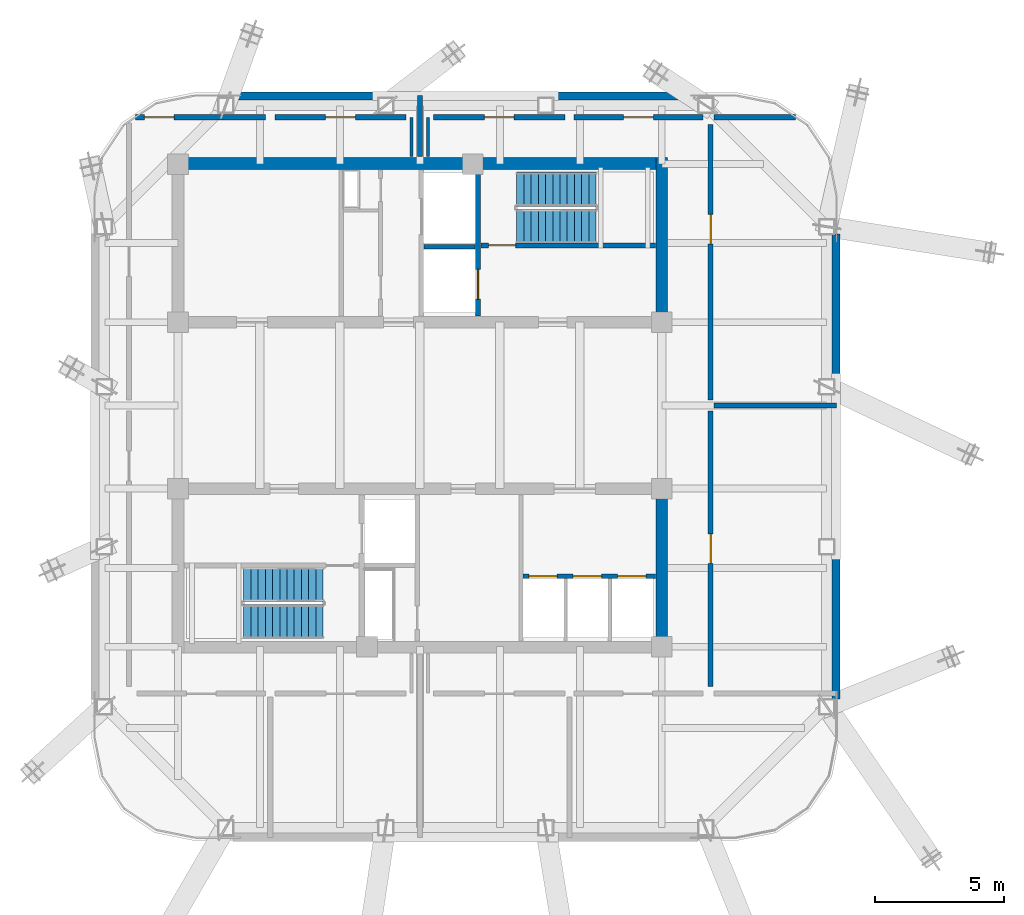
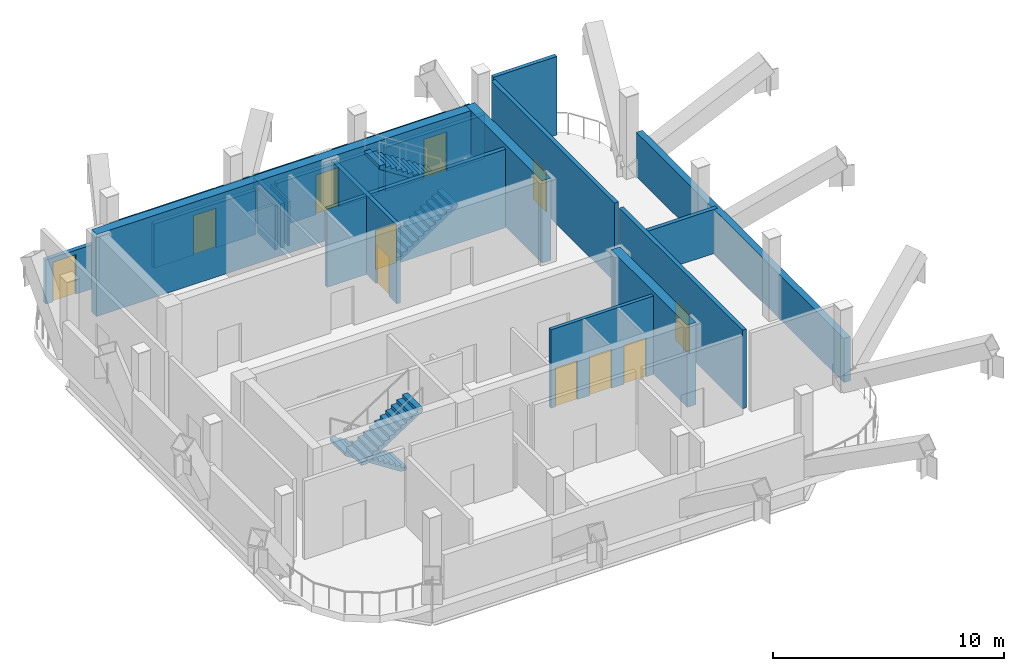
# One storey, part 4 of 7: 20 walls, 11 doors, 4 stair flights, 11 openings, 2 elements without a shape of their own.
"""IFC4 building model written with IfcOpenShell, lengths in metres."""

from ifc_helpers import new_model, si_unit, direction, frame, frame_2d, origin, place, context, subcontext, project, spatial, polyline, rectangle, outline, extrude, material, layer, layer_set, type_object, element, fill, aggregate, save


model = new_model("IFC4")

# Units and contexts
model_context = context("Model", 3, precision=1e-05, world=origin(), true_north=direction((0.0, 1.0)))
body_context = subcontext(model_context, "Body", "Model", "MODEL_VIEW")
ifc_project = project(units=[si_unit("LENGTHUNIT", "METRE"), si_unit("AREAUNIT", "SQUARE_METRE"), si_unit("VOLUMEUNIT", "CUBIC_METRE"), si_unit("PLANEANGLEUNIT", "RADIAN"), si_unit("MASSUNIT", "GRAM", prefix="KILO")], contexts=[model_context])

# Site, building, storey
site_placement = place(None, origin())
site = spatial("IfcSite", under=ifc_project, at=site_placement, CompositionType="ELEMENT")
building_placement = place(site_placement, origin())
building = spatial("IfcBuilding", under=site, at=building_placement, Name="Qhalaya Broadcast Tower", CompositionType="ELEMENT")
storey_placement = place(building_placement, frame((0.0, 0.0, 238.5)))
storey = spatial("IfcBuildingStorey", under=building, at=storey_placement, Name="L70", CompositionType="ELEMENT", Elevation=238.5)

# Wall
ifc_material_1 = material(Name="Gypsum Acoustic Partition")
ifc_layer_1 = layer(ifc_material_1, 0.199951171875, Name="Gypsum Acoustic Partition")
ifc_layer_set_1 = layer_set([ifc_layer_1], Name="Gypsum Acoustic Partition")
wall_type_1 = type_object("IfcWallType", Name="Firefighting Lobby & Stair Enclosure Wall 200", PredefinedType="PARTITIONING", material=ifc_layer_set_1)
wall_1_placement = place(storey_placement, frame((0.0, 10.239990234375, 0.0), z_axis=(0.0, 0.0, 1.0), x_axis=(0.0, 1.0, 0.0)))
element("IfcWall", 1, at=wall_1_placement, inside=storey, type_object=wall_type_1, Name="L70 Partition Wall W-OBN", PredefinedType="PARTITIONING", context=body_context, shape_type="SweptSolid", body=[
    extrude(rectangle(XDim=2.3701171875, YDim=0.199951171875, at=frame_2d((1.18505859375, 0.0))), origin(), (0.0, 0.0, 1.0), 2.340087890625),
])

# Wall, opening, door
wall_2_placement = place(storey_placement, frame((-5.97998046875, 11.77001953125, 0.0), z_axis=(0.0, 0.0, 1.0), x_axis=(-1.0, 0.0, 0.0)))
wall_2 = element("IfcWall", 2, at=wall_2_placement, inside=storey, type_object=wall_type_1, Name="L70 Partition Wall W-PCN0", PredefinedType="PARTITIONING", context=body_context, shape_type="SweptSolid", body=[
    extrude(rectangle(XDim=5.045654296875, YDim=0.199951171875, at=frame_2d((2.52294921875, 0.0))), origin(), (0.0, 0.0, 1.0), 2.340087890625),
])
opening_1_placement = place(wall_2_placement, frame((3.5458984375, 0.0, 0.0)))
opening_1 = element("IfcOpeningElement", 3, at=opening_1_placement, cuts=wall_2, Name="Opening D05", PredefinedType="OPENING", context=body_context, shape_type="SweptSolid", body=[
    extrude(rectangle(XDim=1.14990234375, YDim=2.10009765625, at=frame_2d((0.574951171875, 1.050048828125))), frame((0.0, 0.112060546875, 0.0), z_axis=(0.0, -1.0, 0.0), x_axis=(1.0, 0.0, 0.0)), (0.0, 0.0, 1.0), 0.223876953125),
])
ifc_material_2 = material(Name="Fire-Rated Steel Door", Category="steel")
door_type_1 = type_object("IfcDoorType", Name="Refuge & Plant Room Fire Door D05", OperationType="NOTDEFINED", PredefinedType="DOOR", material=ifc_material_2)
door_1_placement = place(opening_1_placement, origin())
door_1 = element("IfcDoor", 4, at=door_1_placement, inside=storey, type_object=door_type_1, Name="L70 Door D-PCN0", OperationType="SINGLE_SWING_LEFT", OverallHeight=2.10009765625, OverallWidth=1.14990234375, PredefinedType="DOOR", context=body_context, shape_type="SweptSolid", body=[
    extrude(rectangle(XDim=1.14990234375, YDim=2.10009765625, at=frame_2d((0.574951171875, 1.050048828125))), frame((0.0, 0.02490234375, 0.0), z_axis=(0.0, -1.0, 0.0), x_axis=(1.0, 0.0, 0.0)), (0.0, 0.0, 1.0), 0.050048828125),
])
fill(opening_1, door_1)

wall_3_placement = place(storey_placement, frame((-0.530029296875, 11.77001953125, 0.0), z_axis=(0.0, 0.0, 1.0), x_axis=(-1.0, 0.0, 0.0)))
wall_3 = element("IfcWall", 5, at=wall_3_placement, inside=storey, type_object=wall_type_1, Name="L70 Partition Wall W-PCN1", PredefinedType="PARTITIONING", context=body_context, shape_type="SweptSolid", body=[
    extrude(rectangle(XDim=5.090087890625, YDim=0.199951171875, at=frame_2d((2.544921875, 0.0))), origin(), (0.0, 0.0, 1.0), 2.340087890625),
])
opening_2_placement = place(wall_3_placement, frame((1.969970703125, 0.0, 0.0)))
opening_2 = element("IfcOpeningElement", 6, at=opening_2_placement, cuts=wall_3, Name="Opening D05", PredefinedType="OPENING", context=body_context, shape_type="SweptSolid", body=[
    extrude(rectangle(XDim=1.14990234375, YDim=2.10009765625, at=frame_2d((0.574951171875, 1.050048828125))), frame((0.0, 0.112060546875, 0.0), z_axis=(0.0, -1.0, 0.0), x_axis=(1.0, 0.0, 0.0)), (0.0, 0.0, 1.0), 0.223876953125),
])
door_2_placement = place(opening_2_placement, origin())
door_2 = element("IfcDoor", 7, at=door_2_placement, inside=storey, type_object=door_type_1, Name="L70 Door D-PCN1", OperationType="SINGLE_SWING_LEFT", OverallHeight=2.10009765625, OverallWidth=1.14990234375, PredefinedType="DOOR", context=body_context, shape_type="SweptSolid", body=[
    extrude(rectangle(XDim=1.14990234375, YDim=2.10009765625, at=frame_2d((0.574951171875, 1.050048828125))), frame((0.0, 0.02490234375, 0.0), z_axis=(0.0, -1.0, 0.0), x_axis=(1.0, 0.0, 0.0)), (0.0, 0.0, 1.0), 0.050048828125),
])
fill(opening_2, door_2)

wall_4_placement = place(storey_placement, frame((5.6201171875, 11.77001953125, 0.0), z_axis=(0.0, 0.0, 1.0), x_axis=(-1.0, 0.0, 0.0)))
wall_4 = element("IfcWall", 8, at=wall_4_placement, inside=storey, type_object=wall_type_1, Name="L70 Partition Wall W-PCN2", PredefinedType="PARTITIONING", context=body_context, shape_type="SweptSolid", body=[
    extrude(rectangle(XDim=5.090087890625, YDim=0.199951171875, at=frame_2d((2.544921875, 0.0))), origin(), (0.0, 0.0, 1.0), 2.340087890625),
])
opening_3_placement = place(wall_4_placement, frame((1.969970703125, 0.0, 0.0)))
opening_3 = element("IfcOpeningElement", 9, at=opening_3_placement, cuts=wall_4, Name="Opening D05", PredefinedType="OPENING", context=body_context, shape_type="SweptSolid", body=[
    extrude(rectangle(XDim=1.14990234375, YDim=2.10009765625, at=frame_2d((0.574951171875, 1.050048828125))), frame((0.0, 0.112060546875, 0.0), z_axis=(0.0, -1.0, 0.0), x_axis=(1.0, 0.0, 0.0)), (0.0, 0.0, 1.0), 0.223876953125),
])
door_3_placement = place(opening_3_placement, origin())
door_3 = element("IfcDoor", 10, at=door_3_placement, inside=storey, type_object=door_type_1, Name="L70 Door D-PCN2", OperationType="SINGLE_SWING_LEFT", OverallHeight=2.10009765625, OverallWidth=1.14990234375, PredefinedType="DOOR", context=body_context, shape_type="SweptSolid", body=[
    extrude(rectangle(XDim=1.14990234375, YDim=2.10009765625, at=frame_2d((0.574951171875, 1.050048828125))), frame((0.0, 0.02490234375, 0.0), z_axis=(0.0, -1.0, 0.0), x_axis=(1.0, 0.0, 0.0)), (0.0, 0.0, 1.0), 0.050048828125),
])
fill(opening_3, door_3)

wall_5_placement = place(storey_placement, frame((10.969970703125, 11.77001953125, 0.0), z_axis=(0.0, 0.0, 1.0), x_axis=(-1.0, 0.0, 0.0)))
wall_5 = element("IfcWall", 11, at=wall_5_placement, inside=storey, type_object=wall_type_1, Name="L70 Partition Wall W-PCN3", PredefinedType="PARTITIONING", context=body_context, shape_type="SweptSolid", body=[
    extrude(rectangle(XDim=4.989990234375, YDim=0.199951171875, at=frame_2d((2.4951171875, 0.0))), origin(), (0.0, 0.0, 1.0), 2.340087890625),
])
opening_4_placement = place(wall_5_placement, frame((1.919921875, 0.0, 0.0)))
opening_4 = element("IfcOpeningElement", 12, at=opening_4_placement, cuts=wall_5, Name="Opening D05", PredefinedType="OPENING", context=body_context, shape_type="SweptSolid", body=[
    extrude(rectangle(XDim=1.14990234375, YDim=2.10009765625, at=frame_2d((0.574951171875, 1.050048828125))), frame((0.0, 0.112060546875, 0.0), z_axis=(0.0, -1.0, 0.0), x_axis=(1.0, 0.0, 0.0)), (0.0, 0.0, 1.0), 0.223876953125),
])
door_4_placement = place(opening_4_placement, origin())
door_4 = element("IfcDoor", 13, at=door_4_placement, inside=storey, type_object=door_type_1, Name="L70 Door D-PCN3", OperationType="SINGLE_SWING_LEFT", OverallHeight=2.10009765625, OverallWidth=1.14990234375, PredefinedType="DOOR", context=body_context, shape_type="SweptSolid", body=[
    extrude(rectangle(XDim=1.14990234375, YDim=2.10009765625, at=frame_2d((0.574951171875, 1.050048828125))), frame((0.0, 0.02490234375, 0.0), z_axis=(0.0, -1.0, 0.0), x_axis=(1.0, 0.0, 0.0)), (0.0, 0.0, 1.0), 0.050048828125),
])
fill(opening_4, door_4)

# Walls
wall_6_placement = place(storey_placement, frame((11.389892578125, 11.77001953125, 0.0), z_axis=(0.0, 0.0, 1.0), x_axis=(1.0, 0.0, 0.0)))
element("IfcWall", 14, at=wall_6_placement, inside=storey, type_object=wall_type_1, Name="L70 Partition Wall W-PBNE", PredefinedType="PARTITIONING", context=body_context, shape_type="SweptSolid", body=[
    extrude(rectangle(XDim=3.17578125, YDim=0.199951171875, at=frame_2d((1.587890625, 0.0))), origin(), (0.0, 0.0, 1.0), 4.159912109375),
])
wall_7_placement = place(storey_placement, frame((11.389892578125, 0.60009765625, 0.0), z_axis=(0.0, 0.0, 1.0), x_axis=(1.0, 0.0, 0.0)))
element("IfcWall", 15, at=wall_7_placement, inside=storey, type_object=wall_type_1, Name="L70 Partition Wall W-PDE1", PredefinedType="PARTITIONING", context=body_context, shape_type="SweptSolid", body=[
    extrude(rectangle(XDim=4.760009765625, YDim=0.199951171875, at=frame_2d((2.3798828125, 0.0))), origin(), (0.0, 0.0, 1.0), 2.340087890625),
])

# Wall, opening, door
wall_8_placement = place(storey_placement, frame((11.27001953125, -10.2900390625, 0.0), z_axis=(0.0, 0.0, 1.0), x_axis=(0.0, 1.0, 0.0)))
wall_8 = element("IfcWall", 16, at=wall_8_placement, inside=storey, type_object=wall_type_1, Name="L70 Partition Wall W-PCE1", PredefinedType="PARTITIONING", context=body_context, shape_type="SweptSolid", body=[
    extrude(rectangle(XDim=10.679931640625, YDim=0.199951171875, at=frame_2d((5.33984375, 0.0))), origin(), (0.0, 0.0, 1.0), 4.159912109375),
])
opening_5_placement = place(wall_8_placement, frame((4.764892578125, 0.0, 0.0)))
opening_5 = element("IfcOpeningElement", 17, at=opening_5_placement, cuts=wall_8, Name="Opening D05", PredefinedType="OPENING", context=body_context, shape_type="SweptSolid", body=[
    extrude(rectangle(XDim=1.14990234375, YDim=2.10009765625, at=frame_2d((0.574951171875, 1.050048828125))), frame((0.0, 0.112060546875, 0.0), z_axis=(0.0, -1.0, 0.0), x_axis=(1.0, 0.0, 0.0)), (0.0, 0.0, 1.0), 0.223876953125),
])
door_5_placement = place(opening_5_placement, origin())
door_5 = element("IfcDoor", 18, at=door_5_placement, inside=storey, type_object=door_type_1, Name="L70 Door D-PCE1", OperationType="SINGLE_SWING_RIGHT", OverallHeight=2.10009765625, OverallWidth=1.14990234375, PredefinedType="DOOR", context=body_context, shape_type="SweptSolid", body=[
    extrude(rectangle(XDim=1.14990234375, YDim=2.10009765625, at=frame_2d((0.574951171875, 1.050048828125))), frame((0.0, 0.02490234375, 0.0), z_axis=(0.0, -1.0, 0.0), x_axis=(1.0, 0.0, 0.0)), (0.0, 0.0, 1.0), 0.050048828125),
])
fill(opening_5, door_5)

wall_9_placement = place(storey_placement, frame((11.27001953125, 0.81005859375, 0.0), z_axis=(0.0, 0.0, 1.0), x_axis=(0.0, 1.0, 0.0)))
wall_9 = element("IfcWall", 19, at=wall_9_placement, inside=storey, type_object=wall_type_1, Name="L70 Partition Wall W-PCE2", PredefinedType="PARTITIONING", context=body_context, shape_type="SweptSolid", body=[
    extrude(rectangle(XDim=10.679931640625, YDim=0.199951171875, at=frame_2d((5.33984375, 0.0))), origin(), (0.0, 0.0, 1.0), 4.159912109375),
])
opening_6_placement = place(wall_9_placement, frame((6.047119140625, 0.0, 0.0)))
opening_6 = element("IfcOpeningElement", 20, at=opening_6_placement, cuts=wall_9, Name="Opening D05", PredefinedType="OPENING", context=body_context, shape_type="SweptSolid", body=[
    extrude(rectangle(XDim=1.14990234375, YDim=2.10009765625, at=frame_2d((0.574951171875, 1.050048828125))), frame((0.0, 0.112060546875, 0.0), z_axis=(0.0, -1.0, 0.0), x_axis=(1.0, 0.0, 0.0)), (0.0, 0.0, 1.0), 0.223876953125),
])
door_6_placement = place(opening_6_placement, origin())
door_6 = element("IfcDoor", 21, at=door_6_placement, inside=storey, type_object=door_type_1, Name="L70 Door D-PCE2", OperationType="SINGLE_SWING_LEFT", OverallHeight=2.10009765625, OverallWidth=1.14990234375, PredefinedType="DOOR", context=body_context, shape_type="SweptSolid", body=[
    extrude(rectangle(XDim=1.14990234375, YDim=2.10009765625, at=frame_2d((0.574951171875, 1.050048828125))), frame((0.0, 0.02490234375, 0.0), z_axis=(0.0, -1.0, 0.0), x_axis=(1.0, 0.0, 0.0)), (0.0, 0.0, 1.0), 0.050048828125),
])
fill(opening_6, door_6)

ifc_material_3 = material(Name="Concrete C50/60", Category="concrete")
ifc_layer_2 = layer(ifc_material_3, 0.199951171875, Name="Concrete C50/60")
ifc_layer_set_2 = layer_set([ifc_layer_2], Name="Concrete C50/60")
wall_type_2 = type_object("IfcWallType", Name="Load-Bearing Stair Shaft Wall 200", PredefinedType="SHEAR", material=ifc_layer_set_2)
wall_10_placement = place(storey_placement, frame((2.360107421875, 6.804931640625, 0.0), z_axis=(0.0, 0.0, 1.0), x_axis=(1.0, 0.0, 0.0)))
wall_10 = element("IfcWall", 22, at=wall_10_placement, inside=storey, type_object=wall_type_2, Name="L70 Stair Core Shear Wall NCW-ST1", PredefinedType="SHEAR", context=body_context, shape_type="SweptSolid", body=[
    extrude(rectangle(XDim=6.769775390625, YDim=0.199951171875, at=frame_2d((3.384765625, 0.0))), origin(), (0.0, 0.0, 1.0), 4.159912109375),
])
opening_7_placement = place(wall_10_placement, frame((0.300048828125, 0.0, 0.0)))
opening_7 = element("IfcOpeningElement", 23, at=opening_7_placement, cuts=wall_10, Name="Opening D03", PredefinedType="OPENING", context=body_context, shape_type="SweptSolid", body=[
    extrude(rectangle(XDim=1.050048828125, YDim=2.080078125, at=frame_2d((0.52490234375, 1.0400390625))), frame((0.0, 0.112060546875, 0.0), z_axis=(0.0, -1.0, 0.0), x_axis=(1.0, 0.0, 0.0)), (0.0, 0.0, 1.0), 0.223876953125),
])
door_type_2 = type_object("IfcDoorType", Name="Core Stair Protected Fire Door D03", OperationType="NOTDEFINED", PredefinedType="DOOR", material=ifc_material_2)
door_7_placement = place(opening_7_placement, origin())
door_7 = element("IfcDoor", 24, at=door_7_placement, inside=storey, type_object=door_type_2, Name="L70 Door D-NST1", OperationType="SINGLE_SWING_LEFT", OverallHeight=2.080078125, OverallWidth=1.050048828125, PredefinedType="DOOR", context=body_context, shape_type="SweptSolid", body=[
    extrude(rectangle(XDim=1.050048828125, YDim=2.080078125, at=frame_2d((0.52490234375, 1.0400390625))), frame((0.0, 0.02490234375, 0.0), z_axis=(0.0, -1.0, 0.0), x_axis=(1.0, 0.0, 0.0)), (0.0, 0.0, 1.0), 0.050048828125),
])
fill(opening_7, door_7)

wall_11_placement = place(storey_placement, frame((2.25, 4.070068359375, 0.0), z_axis=(0.0, 0.0, 1.0), x_axis=(0.0, 1.0, 0.0)))
wall_11 = element("IfcWall", 25, at=wall_11_placement, inside=storey, type_object=wall_type_2, Name="L70 Stair Core Shear Wall NCW-FF", PredefinedType="SHEAR", context=body_context, shape_type="SweptSolid", body=[
    extrude(rectangle(XDim=5.659912109375, YDim=0.199951171875, at=frame_2d((2.830078125, 0.0))), origin(), (0.0, 0.0, 1.0), 4.159912109375),
])
opening_8_placement = place(wall_11_placement, frame((0.64990234375, 0.0, 0.0)))
opening_8 = element("IfcOpeningElement", 26, at=opening_8_placement, cuts=wall_11, Name="Opening LD2", PredefinedType="OPENING", context=body_context, shape_type="SweptSolid", body=[
    extrude(rectangle(XDim=1.14990234375, YDim=2.080078125, at=frame_2d((0.574951171875, 1.0400390625))), frame((0.0, 0.112060546875, 0.0), z_axis=(0.0, -1.0, 0.0), x_axis=(1.0, 0.0, 0.0)), (0.0, 0.0, 1.0), 0.223876953125),
])
ifc_material_4 = material(Name="Brushed Stainless Steel Lift Door", Category="steel")
door_type_3 = type_object("IfcDoorType", Name="Firefighting Lift Sliding Landing Door LD2", OperationType="DOUBLE_DOOR_SLIDING", PredefinedType="DOOR", material=ifc_material_4)
door_8_placement = place(opening_8_placement, origin())
door_8 = element("IfcDoor", 27, at=door_8_placement, inside=storey, type_object=door_type_3, Name="L70 Door LD-FF1", OperationType="DOUBLE_DOOR_SLIDING", OverallHeight=2.080078125, OverallWidth=1.14990234375, PredefinedType="DOOR", context=body_context, shape_type="SweptSolid", body=[
    extrude(rectangle(XDim=1.14990234375, YDim=2.080078125, at=frame_2d((0.574951171875, 1.0400390625))), frame((0.0, 0.02490234375, 0.0), z_axis=(0.0, -1.0, 0.0), x_axis=(1.0, 0.0, 0.0)), (0.0, 0.0, 1.0), 0.050048828125),
])
fill(opening_8, door_8)

# Walls
ifc_layer_3 = layer(ifc_material_1, 0.1201171875, Name="Gypsum Acoustic Partition")
ifc_layer_set_3 = layer_set([ifc_layer_3], Name="Gypsum Acoustic Partition")
wall_type_3 = type_object("IfcWallType", Name="Office, Booth & Sanitary Partition 120", PredefinedType="PARTITIONING", material=ifc_layer_set_3)
for number, where, z_axis, x_axis, name in (
    (28, (-0.320068359375, 10.239990234375, 0.0), (0.0, 0.0, 1.0), (0.0, 1.0, 0.0), "L70 Partition Wall W-OBNCW"),
    (29, (0.320068359375, 10.239990234375, 0.0), (0.0, 0.0, 1.0), (0.0, 1.0, 0.0), "L70 Partition Wall W-OBNCE"),
):
    element("IfcWall", number, at=place(storey_placement, frame(where, z_axis=z_axis, x_axis=x_axis)), inside=storey, type_object=wall_type_3, Name=name, PredefinedType="PARTITIONING", context=body_context, shape_type="SweptSolid", body=[
        extrude(rectangle(XDim=1.510009765625, YDim=0.1201171875, at=frame_2d((0.7548828125, 0.0))), origin(), (0.0, 0.0, 1.0), 2.340087890625),
    ])
ifc_material_5 = material(Name="Precast Concrete C40/50", Category="concrete")
ifc_layer_4 = layer(ifc_material_5, 0.320068359375, Name="Precast Concrete C40/50")
ifc_layer_set_4 = layer_set([ifc_layer_4], Name="Precast Concrete C40/50")
wall_type_4 = type_object("IfcWallType", Name="Recessed Neck Insulated Exterior Wall 320", PredefinedType="SOLIDWALL", material=ifc_layer_set_4)
for number, where, z_axis, x_axis, name in (
    (30, (16.1298828125, 7.241943359375, 0.0), (0.0, 0.0, 1.0), (0.0, -1.0, 0.0), "L70 Exterior Facade Wall E"),
    (31, (-7.241943359375, 12.590087890625, 0.0), (0.0, 0.0, 1.0), (1.0, 0.0, 0.0), "L70 Exterior Facade Wall N"),
):
    element("IfcWall", number, at=place(storey_placement, frame(where, z_axis=z_axis, x_axis=x_axis)), inside=storey, type_object=wall_type_4, Name=name, PredefinedType="SOLIDWALL", context=body_context, shape_type="SweptSolid", body=[
        extrude(rectangle(XDim=18.02392578125, YDim=0.320068359375, at=frame_2d((9.011962890625, 0.0))), origin(), (0.0, 0.0, 1.0), 2.340087890625),
    ])
ifc_layer_5 = layer(ifc_material_1, 0.175048828125, Name="Gypsum Acoustic Partition")
ifc_layer_set_5 = layer_set([ifc_layer_5], Name="Gypsum Acoustic Partition")
wall_type_5 = type_object("IfcWallType", Name="Shaft & Riser Fire Partition 175", PredefinedType="PARTITIONING", material=ifc_layer_set_5)
wall_12_placement = place(storey_placement, frame((0.159912109375, 6.75, 0.0), z_axis=(0.0, 0.0, 1.0), x_axis=(1.0, 0.0, 0.0)))
element("IfcWall", 32, at=wall_12_placement, inside=storey, type_object=wall_type_5, Name="L70 Partition Wall NCW-SVM", PredefinedType="PARTITIONING", context=body_context, shape_type="SweptSolid", body=[
    extrude(rectangle(XDim=1.97998046875, YDim=0.175048828125, at=frame_2d((0.989990234375, 0.0))), origin(), (0.0, 0.0, 1.0), 4.159912109375),
])

# Wall, openings, doors
wall_13_placement = place(storey_placement, frame((4.0, -6.02001953125, 0.0), z_axis=(0.0, 0.0, 1.0), x_axis=(1.0, 0.0, 0.0)))
wall_13 = element("IfcWall", 33, at=wall_13_placement, inside=storey, type_object=wall_type_5, Name="L70 Partition Wall SCW-SLB", PredefinedType="PARTITIONING", context=body_context, shape_type="SweptSolid", body=[
    extrude(rectangle(XDim=5.1298828125, YDim=0.175048828125, at=frame_2d((2.56494140625, 0.0))), origin(), (0.0, 0.0, 1.0), 4.159912109375),
])
opening_9_placement = place(wall_13_placement, frame((0.219970703125, 0.0, 0.0)))
opening_9 = element("IfcOpeningElement", 34, at=opening_9_placement, cuts=wall_13, Name="Opening LD1", PredefinedType="OPENING", context=body_context, shape_type="SweptSolid", body=[
    extrude(rectangle(XDim=1.10009765625, YDim=2.06005859375, at=frame_2d((0.550048828125, 1.030029296875))), frame((0.0, 0.099609375, 0.0), z_axis=(0.0, -1.0, 0.0), x_axis=(1.0, 0.0, 0.0)), (0.0, 0.0, 1.0), 0.198974609375),
])
opening_10_placement = place(wall_13_placement, frame((1.93994140625, 0.0, 0.0)))
opening_10 = element("IfcOpeningElement", 35, at=opening_10_placement, cuts=wall_13, Name="Opening LD1", PredefinedType="OPENING", context=body_context, shape_type="SweptSolid", body=[
    extrude(rectangle(XDim=1.10009765625, YDim=2.06005859375, at=frame_2d((0.550048828125, 1.030029296875))), frame((0.0, 0.099609375, 0.0), z_axis=(0.0, -1.0, 0.0), x_axis=(1.0, 0.0, 0.0)), (0.0, 0.0, 1.0), 0.198974609375),
])
opening_11_placement = place(wall_13_placement, frame((3.659912109375, 0.0, 0.0)))
opening_11 = element("IfcOpeningElement", 36, at=opening_11_placement, cuts=wall_13, Name="Opening LD1", PredefinedType="OPENING", context=body_context, shape_type="SweptSolid", body=[
    extrude(rectangle(XDim=1.10009765625, YDim=2.06005859375, at=frame_2d((0.550048828125, 1.030029296875))), frame((0.0, 0.099609375, 0.0), z_axis=(0.0, -1.0, 0.0), x_axis=(1.0, 0.0, 0.0)), (0.0, 0.0, 1.0), 0.198974609375),
])
door_type_4 = type_object("IfcDoorType", Name="Passenger Lift Sliding Landing Door LD1", OperationType="DOUBLE_DOOR_SLIDING", PredefinedType="DOOR", material=ifc_material_4)
door_9_placement = place(opening_9_placement, origin())
door_9 = element("IfcDoor", 37, at=door_9_placement, inside=storey, type_object=door_type_4, Name="L70 Door LD-P6", OperationType="DOUBLE_DOOR_SLIDING", OverallHeight=2.06005859375, OverallWidth=1.10009765625, PredefinedType="DOOR", context=body_context, shape_type="SweptSolid", body=[
    extrude(rectangle(XDim=1.10009765625, YDim=2.06005859375, at=frame_2d((0.550048828125, 1.030029296875))), frame((0.0, 0.02490234375, 0.0), z_axis=(0.0, -1.0, 0.0), x_axis=(1.0, 0.0, 0.0)), (0.0, 0.0, 1.0), 0.050048828125),
])
fill(opening_9, door_9)
door_10_placement = place(opening_10_placement, origin())
door_10 = element("IfcDoor", 38, at=door_10_placement, inside=storey, type_object=door_type_4, Name="L70 Door LD-P7", OperationType="DOUBLE_DOOR_SLIDING", OverallHeight=2.06005859375, OverallWidth=1.10009765625, PredefinedType="DOOR", context=body_context, shape_type="SweptSolid", body=[
    extrude(rectangle(XDim=1.10009765625, YDim=2.06005859375, at=frame_2d((0.550048828125, 1.030029296875))), frame((0.0, 0.02490234375, 0.0), z_axis=(0.0, -1.0, 0.0), x_axis=(1.0, 0.0, 0.0)), (0.0, 0.0, 1.0), 0.050048828125),
])
fill(opening_10, door_10)
door_11_placement = place(opening_11_placement, origin())
door_11 = element("IfcDoor", 39, at=door_11_placement, inside=storey, type_object=door_type_4, Name="L70 Door LD-P8", OperationType="DOUBLE_DOOR_SLIDING", OverallHeight=2.06005859375, OverallWidth=1.10009765625, PredefinedType="DOOR", context=body_context, shape_type="SweptSolid", body=[
    extrude(rectangle(XDim=1.10009765625, YDim=2.06005859375, at=frame_2d((0.550048828125, 1.030029296875))), frame((0.0, 0.02490234375, 0.0), z_axis=(0.0, -1.0, 0.0), x_axis=(1.0, 0.0, 0.0)), (0.0, 0.0, 1.0), 0.050048828125),
])
fill(opening_11, door_11)

# Walls
ifc_layer_6 = layer(ifc_material_3, 0.449951171875, Name="Concrete C50/60")
ifc_layer_set_6 = layer_set([ifc_layer_6], Name="Concrete C50/60")
wall_type_6 = type_object("IfcWallType", Name="Upper Split-Core Shear Wall 450", PredefinedType="SHEAR", material=ifc_layer_set_6)
wall_14_placement = place(storey_placement, frame((-9.60009765625, 9.97509765625, 0.0), z_axis=(0.0, 0.0, 1.0), x_axis=(1.0, 0.0, 0.0)))
element("IfcWall", 40, at=wall_14_placement, inside=storey, type_object=wall_type_6, Name="L70 Split-Core Shear Wall CW-NN", PredefinedType="SHEAR", context=body_context, shape_type="SweptSolid", body=[
    extrude(rectangle(XDim=19.2001953125, YDim=0.449951171875, at=frame_2d((9.60009765625, 0.0))), origin(), (0.0, 0.0, 1.0), 4.35009765625),
])
wall_15_placement = place(storey_placement, frame((9.375, 3.60009765625, 0.0), z_axis=(0.0, 0.0, 1.0), x_axis=(0.0, 1.0, 0.0)))
element("IfcWall", 41, at=wall_15_placement, inside=storey, type_object=wall_type_6, Name="L70 Split-Core Shear Wall CW-NE", PredefinedType="SHEAR", context=body_context, shape_type="SweptSolid", body=[
    extrude(rectangle(XDim=6.599853515625, YDim=0.449951171875, at=frame_2d((3.2998046875, 0.0))), origin(), (0.0, 0.0, 1.0), 4.35009765625),
])
wall_16_placement = place(storey_placement, frame((9.375, -9.0, 0.0), z_axis=(0.0, 0.0, 1.0), x_axis=(0.0, 1.0, 0.0)))
element("IfcWall", 42, at=wall_16_placement, inside=storey, type_object=wall_type_6, Name="L70 Split-Core Shear Wall CW-SE", PredefinedType="SHEAR", context=body_context, shape_type="SweptSolid", body=[
    extrude(rectangle(XDim=6.60009765625, YDim=0.449951171875, at=frame_2d((3.300048828125, 0.0))), origin(), (0.0, 0.0, 1.0), 4.35009765625),
])

# Stair, stair flights
ifc_material_6 = material(Name="Concrete C40/50", Category="concrete")
stair_type = type_object("IfcStairType", Name="Protected Dogleg Core Stair 4200", PredefinedType="TWO_STRAIGHT_RUN_STAIR", material=ifc_material_6)
stair_1_placement = place(storey_placement, origin())
stair_1 = element("IfcStair", 43, at=stair_1_placement, inside=storey, type_object=stair_type, Name="L70 North Core Exit Stair ST-1", PredefinedType="TWO_STRAIGHT_RUN_STAIR")
stair_flight_type = type_object("IfcStairFlightType", Name="Precast Concrete Stair Flight 4200", PredefinedType="STRAIGHT", material=ifc_material_5)
stair_flight_1_placement = place(storey_placement, frame((3.75, 7.5400390625, 0.0), z_axis=(0.0, 0.0, 1.0), x_axis=(1.0, 0.0, 0.0)))
stair_flight_1 = element("IfcStairFlight", 44, at=stair_flight_1_placement, type_object=stair_flight_type, Name="ST-1 flight 1", NumberOfRisers=12, NumberOfTreads=11, PredefinedType="STRAIGHT", RiserHeight=0.18125, TreadLength=0.28, context=body_context, shape_type="SweptSolid", body=[
    extrude(outline(polyline([(0.0, 0.0), (0.0, 0.18115234375), (0.280029296875, 0.18115234375), (0.280029296875, 0.362548828125), (0.56005859375, 0.362548828125), (0.56005859375, 0.543701171875), (0.840087890625, 0.543701171875), (0.840087890625, 0.72509765625), (1.1201171875, 0.72509765625), (1.1201171875, 0.90625), (1.39990234375, 0.90625), (1.39990234375, 1.08740234375), (1.679931640625, 1.08740234375), (1.679931640625, 1.268798828125), (1.9599609375, 1.268798828125), (1.9599609375, 1.449951171875), (2.239990234375, 1.449951171875), (2.239990234375, 1.63134765625), (2.52001953125, 1.63134765625), (2.52001953125, 1.8125), (2.800048828125, 1.8125), (2.800048828125, 1.99365234375), (3.080078125, 1.99365234375), (3.080078125, 2.175048828125), (3.080078125, 1.815185546875), (0.27587890625, 0.0), (0.0, 0.0)])), frame((0.0, 0.66015625, 0.0), z_axis=(0.0, -1.0, 0.0), x_axis=(1.0, 0.0, 0.0)), (0.0, 0.0, 1.0), 1.320068359375),
])
stair_flight_2_placement = place(storey_placement, frame((6.830078125, 8.97998046875, 2.175048828125), z_axis=(0.0, 0.0, 1.0), x_axis=(-1.0, 0.0, 0.0)))
stair_flight_2 = element("IfcStairFlight", 45, at=stair_flight_2_placement, type_object=stair_flight_type, Name="ST-1 flight 2", NumberOfRisers=12, NumberOfTreads=11, PredefinedType="STRAIGHT", RiserHeight=0.18125, TreadLength=0.28, context=body_context, shape_type="SweptSolid", body=[
    extrude(outline(polyline([(0.0, 0.0), (0.0, 0.18115234375), (0.280029296875, 0.18115234375), (0.280029296875, 0.362548828125), (0.56005859375, 0.362548828125), (0.56005859375, 0.543701171875), (0.840087890625, 0.543701171875), (0.840087890625, 0.72509765625), (1.1201171875, 0.72509765625), (1.1201171875, 0.90625), (1.39990234375, 0.90625), (1.39990234375, 1.08740234375), (1.679931640625, 1.08740234375), (1.679931640625, 1.268798828125), (1.9599609375, 1.268798828125), (1.9599609375, 1.449951171875), (2.239990234375, 1.449951171875), (2.239990234375, 1.63134765625), (2.52001953125, 1.63134765625), (2.52001953125, 1.8125), (2.800048828125, 1.8125), (2.800048828125, 1.99365234375), (3.080078125, 1.99365234375), (3.080078125, 2.175048828125), (3.080078125, 1.815185546875), (0.27587890625, 0.0), (0.0, 0.0)])), frame((0.0, 0.66015625, 0.0), z_axis=(0.0, -1.0, 0.0), x_axis=(1.0, 0.0, 0.0)), (0.0, 0.0, 1.0), 1.320068359375),
])
aggregate(stair_1, [stair_flight_1, stair_flight_2])

stair_2_placement = place(storey_placement, origin())
stair_2 = element("IfcStair", 46, at=stair_2_placement, inside=storey, type_object=stair_type, Name="L70 South Core Exit Stair ST-2", PredefinedType="TWO_STRAIGHT_RUN_STAIR")
stair_flight_3_placement = place(storey_placement, frame((-3.75, -6.340087890625, 0.0), z_axis=(0.0, 0.0, 1.0), x_axis=(-1.0, 0.0, 0.0)))
stair_flight_3 = element("IfcStairFlight", 47, at=stair_flight_3_placement, type_object=stair_flight_type, Name="ST-2 flight 1", NumberOfRisers=12, NumberOfTreads=11, PredefinedType="STRAIGHT", RiserHeight=0.18125, TreadLength=0.28, context=body_context, shape_type="SweptSolid", body=[
    extrude(outline(polyline([(0.0, 0.0), (0.0, 0.18115234375), (0.280029296875, 0.18115234375), (0.280029296875, 0.362548828125), (0.56005859375, 0.362548828125), (0.56005859375, 0.543701171875), (0.840087890625, 0.543701171875), (0.840087890625, 0.72509765625), (1.1201171875, 0.72509765625), (1.1201171875, 0.90625), (1.39990234375, 0.90625), (1.39990234375, 1.08740234375), (1.679931640625, 1.08740234375), (1.679931640625, 1.268798828125), (1.9599609375, 1.268798828125), (1.9599609375, 1.449951171875), (2.239990234375, 1.449951171875), (2.239990234375, 1.63134765625), (2.52001953125, 1.63134765625), (2.52001953125, 1.8125), (2.800048828125, 1.8125), (2.800048828125, 1.99365234375), (3.080078125, 1.99365234375), (3.080078125, 2.175048828125), (3.080078125, 1.815185546875), (0.27587890625, 0.0), (0.0, 0.0)])), frame((0.0, 0.66015625, 0.0), z_axis=(0.0, -1.0, 0.0), x_axis=(1.0, 0.0, 0.0)), (0.0, 0.0, 1.0), 1.320068359375),
])
stair_flight_4_placement = place(storey_placement, frame((-6.830078125, -7.780029296875, 2.175048828125), z_axis=(0.0, 0.0, 1.0), x_axis=(1.0, 0.0, 0.0)))
stair_flight_4 = element("IfcStairFlight", 48, at=stair_flight_4_placement, type_object=stair_flight_type, Name="ST-2 flight 2", NumberOfRisers=12, NumberOfTreads=11, PredefinedType="STRAIGHT", RiserHeight=0.18125, TreadLength=0.28, context=body_context, shape_type="SweptSolid", body=[
    extrude(outline(polyline([(0.0, 0.0), (0.0, 0.18115234375), (0.280029296875, 0.18115234375), (0.280029296875, 0.362548828125), (0.56005859375, 0.362548828125), (0.56005859375, 0.543701171875), (0.840087890625, 0.543701171875), (0.840087890625, 0.72509765625), (1.1201171875, 0.72509765625), (1.1201171875, 0.90625), (1.39990234375, 0.90625), (1.39990234375, 1.08740234375), (1.679931640625, 1.08740234375), (1.679931640625, 1.268798828125), (1.9599609375, 1.268798828125), (1.9599609375, 1.449951171875), (2.239990234375, 1.449951171875), (2.239990234375, 1.63134765625), (2.52001953125, 1.63134765625), (2.52001953125, 1.8125), (2.800048828125, 1.8125), (2.800048828125, 1.99365234375), (3.080078125, 1.99365234375), (3.080078125, 2.175048828125), (3.080078125, 1.815185546875), (0.27587890625, 0.0), (0.0, 0.0)])), frame((0.0, 0.66015625, 0.0), z_axis=(0.0, -1.0, 0.0), x_axis=(1.0, 0.0, 0.0)), (0.0, 0.0, 1.0), 1.320068359375),
])
aggregate(stair_2, [stair_flight_3, stair_flight_4])

save(model, "model.ifc")
